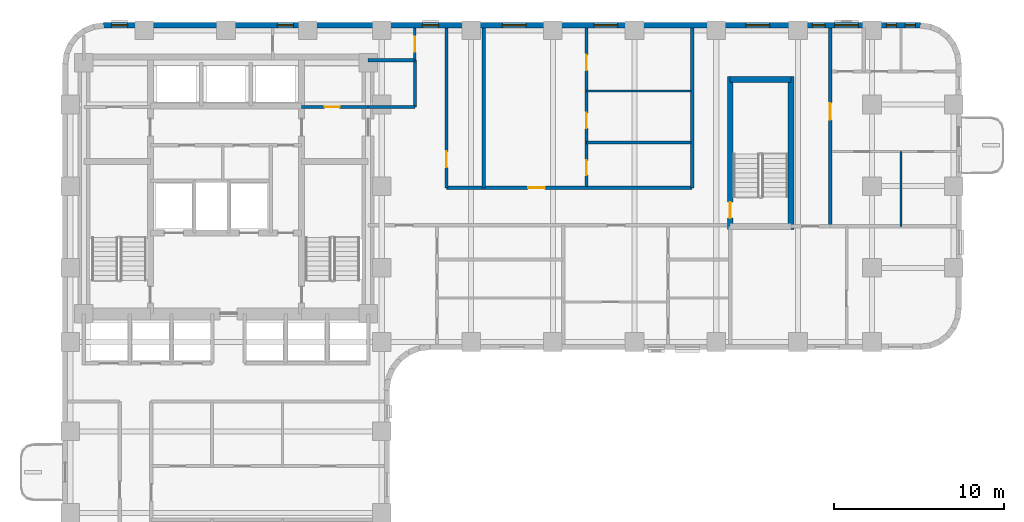
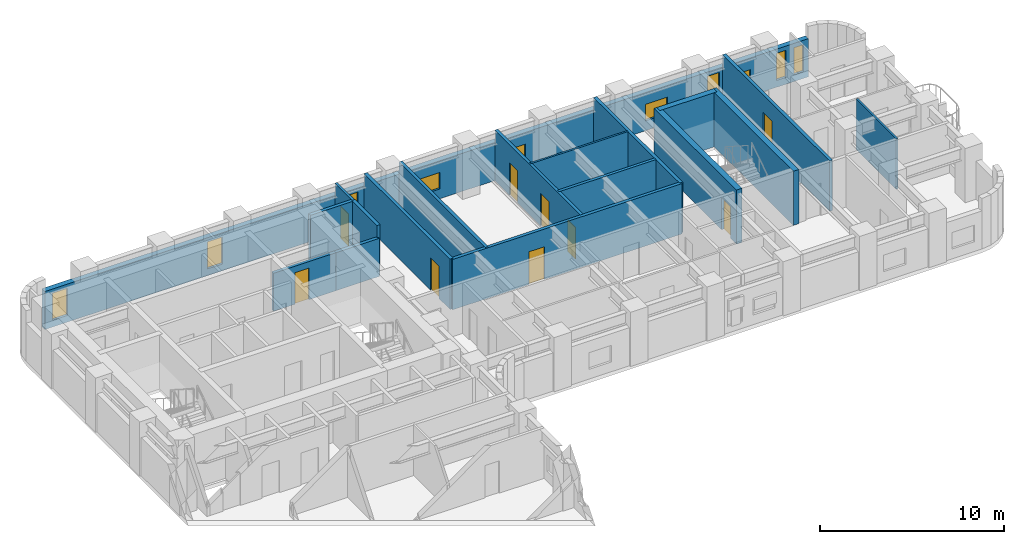
# One storey, part 6 of 10: 18 walls, 10 windows, 9 doors, 19 openings.
"""IFC4 building model written with IfcOpenShell, lengths in metres."""

from ifc_helpers import new_model, si_unit, direction, frame, frame_2d, origin, place, context, subcontext, project, spatial, rectangle, extrude, material, layer, layer_set, type_object, element, fill, save


model = new_model("IFC4")

# Units and contexts
model_context = context("Model", 3, precision=1e-05, world=origin(), true_north=direction((0.0, 1.0)))
body_context = subcontext(model_context, "Body", "Model", "MODEL_VIEW")
ifc_project = project(units=[si_unit("LENGTHUNIT", "METRE"), si_unit("AREAUNIT", "SQUARE_METRE"), si_unit("VOLUMEUNIT", "CUBIC_METRE"), si_unit("PLANEANGLEUNIT", "RADIAN"), si_unit("MASSUNIT", "GRAM", prefix="KILO")], contexts=[model_context])

# Site, building, storey
site_placement = place(None, origin())
site = spatial("IfcSite", under=ifc_project, at=site_placement, CompositionType="ELEMENT")
building_placement = place(site_placement, origin())
building = spatial("IfcBuilding", under=site, at=building_placement, Name="Orvandelia Arch Residences", CompositionType="ELEMENT")
storey_placement = place(building_placement, frame((0.0, 0.0, 68.199951171875)))
storey = spatial("IfcBuildingStorey", under=building, at=storey_placement, Name="L17", CompositionType="ELEMENT", Elevation=68.199951171875)

# Wall, opening, door
ifc_material_1 = material(Name="Concrete C50/60", Category="concrete")
ifc_layer_1 = layer(ifc_material_1, 0.35009765625, Name="Concrete C50/60", Category="concrete")
ifc_layer_set_1 = layer_set([ifc_layer_1], Name="Concrete C50/60")
wall_type_1 = type_object("IfcWallType", Name="WL-CORE-350", PredefinedType="SHEAR", material=ifc_layer_set_1)
wall_1_placement = place(storey_placement, frame((44.02001953125, 35.864990234375, 0.0), z_axis=(0.0, 0.0, 1.0), x_axis=(0.0, 1.0, 0.0)))
wall_1 = element("IfcWall", 1, at=wall_1_placement, inside=storey, type_object=wall_type_1, Name="East Stair Core Shear Wall L17-W", PredefinedType="SHEAR", context=body_context, shape_type="SweptSolid", body=[
    extrude(rectangle(XDim=8.969970703125, YDim=0.35009765625, at=frame_2d((4.48486328125, 0.0))), origin(), (0.0, 0.0, 1.0), 3.60009765625),
])
opening_1_placement = place(wall_1_placement, frame((0.64990234375, 0.0, 0.0)))
opening_1 = element("IfcOpeningElement", 2, at=opening_1_placement, cuts=wall_1, Name="Opening D7", PredefinedType="OPENING", context=body_context, shape_type="SweptSolid", body=[
    extrude(rectangle(XDim=0.949951171875, YDim=2.10009765625, at=frame_2d((0.47509765625, 1.050048828125))), frame((0.0, 0.18505859375, 0.0), z_axis=(0.0, -1.0, 0.0), x_axis=(1.0, 0.0, 0.0)), (0.0, 0.0, 1.0), 0.3701171875),
])
ifc_material_2 = material(Name="Pressurised Stairwell Fire Door")
door_type_1 = type_object("IfcDoorType", Name="DR-STAIR-950", OperationType="NOTDEFINED", PredefinedType="DOOR", material=ifc_material_2)
door_1_placement = place(opening_1_placement, origin())
door_1 = element("IfcDoor", 3, at=door_1_placement, inside=storey, type_object=door_type_1, Name="East Stairwell ST-3 Fire Door L17", OperationType="SINGLE_SWING_LEFT", OverallHeight=2.10009765625, OverallWidth=0.949951171875, PredefinedType="DOOR", context=body_context, shape_type="SweptSolid", body=[
    extrude(rectangle(XDim=0.949951171875, YDim=2.10009765625, at=frame_2d((0.47509765625, 1.050048828125))), frame((0.0, 0.02490234375, 0.0), z_axis=(0.0, -1.0, 0.0), x_axis=(1.0, 0.0, 0.0)), (0.0, 0.0, 1.0), 0.050048828125),
])
fill(opening_1, door_1)

# Walls
wall_2_placement = place(storey_placement, frame((47.60009765625, 35.864990234375, 0.0), z_axis=(0.0, 0.0, 1.0), x_axis=(0.0, 1.0, 0.0)))
element("IfcWall", 4, at=wall_2_placement, inside=storey, type_object=wall_type_1, Name="East Stair Core Shear Wall L17-E", PredefinedType="SHEAR", context=body_context, shape_type="SweptSolid", body=[
    extrude(rectangle(XDim=8.969970703125, YDim=0.35009765625, at=frame_2d((4.48486328125, 0.0))), origin(), (0.0, 0.0, 1.0), 3.60009765625),
])
wall_3_placement = place(storey_placement, frame((44.02001953125, 44.659912109375, 0.0), z_axis=(0.0, 0.0, 1.0), x_axis=(1.0, 0.0, 0.0)))
element("IfcWall", 5, at=wall_3_placement, inside=storey, type_object=wall_type_1, Name="East Stair Core Shear Wall L17-N", PredefinedType="SHEAR", context=body_context, shape_type="SweptSolid", body=[
    extrude(rectangle(XDim=3.580078125, YDim=0.35009765625, at=frame_2d((1.7900390625, 0.0))), origin(), (0.0, 0.0, 1.0), 3.60009765625),
])
ifc_material_3 = material(Name="Fire-Rated Corridor Partition")
ifc_layer_2 = layer(ifc_material_3, 0.199951171875, Name="Fire-Rated Corridor Partition")
ifc_layer_set_2 = layer_set([ifc_layer_2], Name="Fire-Rated Corridor Partition")
wall_type_2 = type_object("IfcWallType", Name="WL-CORR-200", PredefinedType="PARTITIONING", material=ifc_layer_set_2)
wall_4_placement = place(storey_placement, frame((22.75, 45.800048828125, 0.0), z_axis=(0.0, 0.0, 1.0), x_axis=(1.0, 0.0, 0.0)))
element("IfcWall", 6, at=wall_4_placement, inside=storey, type_object=wall_type_2, Name="Interior Partition Wall WL-L17-NCE-S", PredefinedType="PARTITIONING", context=body_context, shape_type="SweptSolid", body=[
    extrude(rectangle(XDim=2.75, YDim=0.199951171875, at=frame_2d((1.375, 0.0))), origin(), (0.0, 0.0, 1.0), 3.35009765625),
])

# Wall, opening, door
wall_5_placement = place(storey_placement, frame((27.35009765625, 38.300048828125, 0.0), z_axis=(0.0, 0.0, 1.0), x_axis=(1.0, 0.0, 0.0)))
wall_5 = element("IfcWall", 7, at=wall_5_placement, inside=storey, type_object=wall_type_2, Name="Interior Partition Wall WL-L17-EM-N", PredefinedType="PARTITIONING", context=body_context, shape_type="SweptSolid", body=[
    extrude(rectangle(XDim=14.429931640625, YDim=0.199951171875, at=frame_2d((7.21484375, 0.0))), origin(), (0.0, 0.0, 1.0), 3.35009765625),
])
opening_2_placement = place(wall_5_placement, frame((4.803466796875, 0.0, 0.0)))
opening_2 = element("IfcOpeningElement", 8, at=opening_2_placement, cuts=wall_5, Name="Opening D1", PredefinedType="OPENING", context=body_context, shape_type="SweptSolid", body=[
    extrude(rectangle(XDim=0.97998046875, YDim=2.179931640625, at=frame_2d((0.489990234375, 1.08984375))), frame((0.0, 0.10986328125, 0.0), z_axis=(0.0, -1.0, 0.0), x_axis=(1.0, 0.0, 0.0)), (0.0, 0.0, 1.0), 0.219970703125),
])
ifc_material_4 = material(Name="Solid-Core Timber Acoustic Fire Door", Category="wood")
door_type_2 = type_object("IfcDoorType", Name="DR-ENT-980", OperationType="NOTDEFINED", PredefinedType="DOOR", material=ifc_material_4)
door_2_placement = place(opening_2_placement, origin())
door_2 = element("IfcDoor", 9, at=door_2_placement, inside=storey, type_object=door_type_2, Name="Unit L17-06 Entrance Door", OperationType="SINGLE_SWING_RIGHT", OverallHeight=2.179931640625, OverallWidth=0.97998046875, PredefinedType="DOOR", context=body_context, shape_type="SweptSolid", body=[
    extrude(rectangle(XDim=0.97998046875, YDim=2.179931640625, at=frame_2d((0.489990234375, 1.08984375))), frame((0.0, 0.02490234375, 0.0), z_axis=(0.0, -1.0, 0.0), x_axis=(1.0, 0.0, 0.0)), (0.0, 0.0, 1.0), 0.050048828125),
])
fill(opening_2, door_2)

wall_6_placement = place(storey_placement, frame((27.35009765625, 38.300048828125, 0.0), z_axis=(0.0, 0.0, 1.0), x_axis=(0.0, 1.0, 0.0)))
wall_6 = element("IfcWall", 10, at=wall_6_placement, inside=storey, type_object=wall_type_2, Name="Interior Partition Wall WL-L17-EM-NCE", PredefinedType="PARTITIONING", context=body_context, shape_type="SweptSolid", body=[
    extrude(rectangle(XDim=9.3798828125, YDim=0.199951171875, at=frame_2d((4.68994140625, 0.0))), origin(), (0.0, 0.0, 1.0), 3.35009765625),
])
opening_3_placement = place(wall_6_placement, frame((1.199951171875, 0.0, 0.0)))
opening_3 = element("IfcOpeningElement", 11, at=opening_3_placement, cuts=wall_6, Name="Opening D2", PredefinedType="OPENING", context=body_context, shape_type="SweptSolid", body=[
    extrude(rectangle(XDim=0.949951171875, YDim=2.14990234375, at=frame_2d((0.47509765625, 1.074951171875))), frame((0.0, 0.10986328125, 0.0), z_axis=(0.0, -1.0, 0.0), x_axis=(1.0, 0.0, 0.0)), (0.0, 0.0, 1.0), 0.219970703125),
])
ifc_material_5 = material(Name="Solid-Core Timber Interior Fire Door", Category="wood")
door_type_3 = type_object("IfcDoorType", Name="DR-APT-950", OperationType="NOTDEFINED", PredefinedType="DOOR", material=ifc_material_5)
door_3_placement = place(opening_3_placement, origin())
door_3 = element("IfcDoor", 12, at=door_3_placement, inside=storey, type_object=door_type_3, Name="DR-L17-LDY", OperationType="SINGLE_SWING_RIGHT", OverallHeight=2.14990234375, OverallWidth=0.949951171875, PredefinedType="DOOR", context=body_context, shape_type="SweptSolid", body=[
    extrude(rectangle(XDim=0.949951171875, YDim=2.14990234375, at=frame_2d((0.47509765625, 1.074951171875))), frame((0.0, 0.02490234375, 0.0), z_axis=(0.0, -1.0, 0.0), x_axis=(1.0, 0.0, 0.0)), (0.0, 0.0, 1.0), 0.050048828125),
])
fill(opening_3, door_3)

# Walls
wall_7_placement = place(storey_placement, frame((22.75, 43.050048828125, 0.0), z_axis=(0.0, 0.0, 1.0), x_axis=(1.0, 0.0, 0.0)))
element("IfcWall", 13, at=wall_7_placement, inside=storey, type_object=wall_type_2, Name="Interior Partition Wall WL-L17-EM-LS", PredefinedType="PARTITIONING", context=body_context, shape_type="SweptSolid", body=[
    extrude(rectangle(XDim=2.75, YDim=0.199951171875, at=frame_2d((1.375, 0.0))), origin(), (0.0, 0.0, 1.0), 2.530029296875),
])
wall_8_placement = place(storey_placement, frame((25.5, 43.050048828125, 0.0), z_axis=(0.0, 0.0, 1.0), x_axis=(0.0, 1.0, 0.0)))
element("IfcWall", 14, at=wall_8_placement, inside=storey, type_object=wall_type_2, Name="Interior Partition Wall WL-L17-EM-LW2", PredefinedType="PARTITIONING", context=body_context, shape_type="SweptSolid", body=[
    extrude(rectangle(XDim=2.75, YDim=0.199951171875, at=frame_2d((1.375, 0.0))), origin(), (0.0, 0.0, 1.0), 3.35009765625),
])
wall_9_placement = place(storey_placement, frame((41.780029296875, 38.300048828125, 0.0), z_axis=(0.0, 0.0, 1.0), x_axis=(0.0, 1.0, 0.0)))
element("IfcWall", 15, at=wall_9_placement, inside=storey, type_object=wall_type_2, Name="Interior Partition Wall WL-L17-ETV-W", PredefinedType="PARTITIONING", context=body_context, shape_type="SweptSolid", body=[
    extrude(rectangle(XDim=9.3798828125, YDim=0.199951171875, at=frame_2d((4.68994140625, 0.0))), origin(), (0.0, 0.0, 1.0), 3.35009765625),
])

# Wall, opening, door
wall_10_placement = place(storey_placement, frame((49.89990234375, 36.0400390625, 0.0), z_axis=(0.0, 0.0, 1.0), x_axis=(0.0, 1.0, 0.0)))
wall_10 = element("IfcWall", 16, at=wall_10_placement, inside=storey, type_object=wall_type_2, Name="Interior Partition Wall WL-L17-ETE-E", PredefinedType="PARTITIONING", context=body_context, shape_type="SweptSolid", body=[
    extrude(rectangle(XDim=11.639892578125, YDim=0.199951171875, at=frame_2d((5.81982421875, 0.0))), origin(), (0.0, 0.0, 1.0), 3.35009765625),
])
opening_4_placement = place(wall_10_placement, frame((6.25146484375, 0.0, 0.0)))
opening_4 = element("IfcOpeningElement", 17, at=opening_4_placement, cuts=wall_10, Name="Opening D1", PredefinedType="OPENING", context=body_context, shape_type="SweptSolid", body=[
    extrude(rectangle(XDim=0.97998046875, YDim=2.179931640625, at=frame_2d((0.489990234375, 1.08984375))), frame((0.0, 0.10986328125, 0.0), z_axis=(0.0, -1.0, 0.0), x_axis=(1.0, 0.0, 0.0)), (0.0, 0.0, 1.0), 0.219970703125),
])
door_4_placement = place(opening_4_placement, origin())
door_4 = element("IfcDoor", 18, at=door_4_placement, inside=storey, type_object=door_type_2, Name="Unit L17-07 Entrance Door", OperationType="SINGLE_SWING_LEFT", OverallHeight=2.179931640625, OverallWidth=0.97998046875, PredefinedType="DOOR", context=body_context, shape_type="SweptSolid", body=[
    extrude(rectangle(XDim=0.97998046875, YDim=2.179931640625, at=frame_2d((0.489990234375, 1.08984375))), frame((0.0, 0.02490234375, 0.0), z_axis=(0.0, -1.0, 0.0), x_axis=(1.0, 0.0, 0.0)), (0.0, 0.0, 1.0), 0.050048828125),
])
fill(opening_4, door_4)

# Wall
ifc_material_6 = material(Name="Concrete C40/50", Category="concrete")
ifc_layer_3 = layer(ifc_material_6, 0.199951171875, Name="Concrete C40/50", Category="concrete")
ifc_layer_set_3 = layer_set([ifc_layer_3], Name="Concrete C40/50")
wall_type_3 = type_object("IfcWallType", Name="WL-DEM-200", PredefinedType="SOLIDWALL", material=ifc_layer_set_3)
wall_11_placement = place(storey_placement, frame((29.550048828125, 38.300048828125, 0.0), z_axis=(0.0, 0.0, 1.0), x_axis=(0.0, 1.0, 0.0)))
element("IfcWall", 19, at=wall_11_placement, inside=storey, type_object=wall_type_3, Name="Interior Partition Wall WL-L17-EM-LDE", PredefinedType="SOLIDWALL", context=body_context, shape_type="SweptSolid", body=[
    extrude(rectangle(XDim=9.3798828125, YDim=0.199951171875, at=frame_2d((4.68994140625, 0.0))), origin(), (0.0, 0.0, 1.0), 3.35009765625),
])

# Wall, openings, windows
ifc_material_7 = material(Name="Precast concrete C40/50", Category="concrete")
ifc_layer_4 = layer(ifc_material_7, 0.320068359375, Name="Precast concrete C40/50", Category="concrete")
ifc_layer_set_4 = layer_set([ifc_layer_4], Name="Precast concrete C40/50")
wall_type_4 = type_object("IfcWallType", Name="WL-EXT-STONE-320", PredefinedType="STANDARD", material=ifc_layer_set_4)
wall_12_placement = place(storey_placement, frame((7.199951171875, 47.840087890625, 0.0), z_axis=(0.0, 0.0, 1.0), x_axis=(1.0, 0.0, 0.0)))
wall_12 = element("IfcWall", 20, at=wall_12_placement, inside=storey, type_object=wall_type_4, Name="Coral-Limestone Precast Facade Wall L17-007", PredefinedType="STANDARD", context=body_context, shape_type="SweptSolid", body=[
    extrude(rectangle(XDim=48.0, YDim=0.320068359375, at=frame_2d((24.0, 0.0))), origin(), (0.0, 0.0, 1.0), 2.530029296875),
])
opening_5_placement = place(wall_12_placement, frame((28.803466796875, 0.0, 0.64990234375)))
opening_5 = element("IfcOpeningElement", 21, at=opening_5_placement, cuts=wall_12, Name="Opening W10", PredefinedType="OPENING", context=body_context, shape_type="SweptSolid", body=[
    extrude(rectangle(XDim=1.39990234375, YDim=1.10009765625, at=frame_2d((0.699951171875, 0.550048828125))), frame((0.0, 0.169921875, 0.0), z_axis=(0.0, -1.0, 0.0), x_axis=(1.0, 0.0, 0.0)), (0.0, 0.0, 1.0), 0.340087890625),
])
opening_6_placement = place(wall_12_placement, frame((47.093994140625, 0.0, 0.449951171875)))
opening_6 = element("IfcOpeningElement", 22, at=opening_6_placement, cuts=wall_12, Name="Opening W12", PredefinedType="OPENING", context=body_context, shape_type="SweptSolid", body=[
    extrude(rectangle(XDim=0.60009765625, YDim=1.800048828125, at=frame_2d((0.300048828125, 0.89990234375))), frame((0.0, 0.169921875, 0.0), z_axis=(0.0, -1.0, 0.0), x_axis=(1.0, 0.0, 0.0)), (0.0, 0.0, 1.0), 0.340087890625),
])
opening_7_placement = place(wall_12_placement, frame((18.739990234375, 0.0, 0.449951171875)))
opening_7 = element("IfcOpeningElement", 23, at=opening_7_placement, cuts=wall_12, Name="Opening W4", PredefinedType="OPENING", context=body_context, shape_type="SweptSolid", body=[
    extrude(rectangle(XDim=0.949951171875, YDim=1.800048828125, at=frame_2d((0.47509765625, 0.89990234375))), frame((0.0, 0.169921875, 0.0), z_axis=(0.0, -1.0, 0.0), x_axis=(1.0, 0.0, 0.0)), (0.0, 0.0, 1.0), 0.340087890625),
])
opening_8_placement = place(wall_12_placement, frame((41.64990234375, 0.0, 0.449951171875)))
opening_8 = element("IfcOpeningElement", 24, at=opening_8_placement, cuts=wall_12, Name="Opening W11", PredefinedType="OPENING", context=body_context, shape_type="SweptSolid", body=[
    extrude(rectangle(XDim=0.75, YDim=1.800048828125, at=frame_2d((0.375, 0.89990234375))), frame((0.0, 0.169921875, 0.0), z_axis=(0.0, -1.0, 0.0), x_axis=(1.0, 0.0, 0.0)), (0.0, 0.0, 1.0), 0.340087890625),
])
opening_9_placement = place(wall_12_placement, frame((37.736083984375, 0.0, 0.64990234375)))
opening_9 = element("IfcOpeningElement", 25, at=opening_9_placement, cuts=wall_12, Name="Opening W10", PredefinedType="OPENING", context=body_context, shape_type="SweptSolid", body=[
    extrude(rectangle(XDim=1.39990234375, YDim=1.10009765625, at=frame_2d((0.699951171875, 0.550048828125))), frame((0.0, 0.169921875, 0.0), z_axis=(0.0, -1.0, 0.0), x_axis=(1.0, 0.0, 0.0)), (0.0, 0.0, 1.0), 0.340087890625),
])
opening_10_placement = place(wall_12_placement, frame((0.469970703125, 0.0, 0.449951171875)))
opening_10 = element("IfcOpeningElement", 26, at=opening_10_placement, cuts=wall_12, Name="Opening W4", PredefinedType="OPENING", context=body_context, shape_type="SweptSolid", body=[
    extrude(rectangle(XDim=0.949951171875, YDim=1.800048828125, at=frame_2d((0.47509765625, 0.89990234375))), frame((0.0, 0.169921875, 0.0), z_axis=(0.0, -1.0, 0.0), x_axis=(1.0, 0.0, 0.0)), (0.0, 0.0, 1.0), 0.340087890625),
])
opening_11_placement = place(wall_12_placement, frame((10.215087890625, 0.0, 0.449951171875)))
opening_11 = element("IfcOpeningElement", 27, at=opening_11_placement, cuts=wall_12, Name="Opening W4", PredefinedType="OPENING", context=body_context, shape_type="SweptSolid", body=[
    extrude(rectangle(XDim=0.949951171875, YDim=1.800048828125, at=frame_2d((0.47509765625, 0.89990234375))), frame((0.0, 0.169921875, 0.0), z_axis=(0.0, -1.0, 0.0), x_axis=(1.0, 0.0, 0.0)), (0.0, 0.0, 1.0), 0.340087890625),
])
opening_12_placement = place(wall_12_placement, frame((23.429931640625, 0.0, 0.64990234375)))
opening_12 = element("IfcOpeningElement", 28, at=opening_12_placement, cuts=wall_12, Name="Opening W10", PredefinedType="OPENING", context=body_context, shape_type="SweptSolid", body=[
    extrude(rectangle(XDim=1.39990234375, YDim=1.10009765625, at=frame_2d((0.699951171875, 0.550048828125))), frame((0.0, 0.169921875, 0.0), z_axis=(0.0, -1.0, 0.0), x_axis=(1.0, 0.0, 0.0)), (0.0, 0.0, 1.0), 0.340087890625),
])
opening_13_placement = place(wall_12_placement, frame((42.949951171875, 0.0, 0.64990234375)))
opening_13 = element("IfcOpeningElement", 29, at=opening_13_placement, cuts=wall_12, Name="Opening W10", PredefinedType="OPENING", context=body_context, shape_type="SweptSolid", body=[
    extrude(rectangle(XDim=1.39990234375, YDim=1.10009765625, at=frame_2d((0.699951171875, 0.550048828125))), frame((0.0, 0.169921875, 0.0), z_axis=(0.0, -1.0, 0.0), x_axis=(1.0, 0.0, 0.0)), (0.0, 0.0, 1.0), 0.340087890625),
])
opening_14_placement = place(wall_12_placement, frame((45.98388671875, 0.0, 0.449951171875)))
opening_14 = element("IfcOpeningElement", 30, at=opening_14_placement, cuts=wall_12, Name="Opening W12", PredefinedType="OPENING", context=body_context, shape_type="SweptSolid", body=[
    extrude(rectangle(XDim=0.60009765625, YDim=1.800048828125, at=frame_2d((0.300048828125, 0.89990234375))), frame((0.0, 0.169921875, 0.0), z_axis=(0.0, -1.0, 0.0), x_axis=(1.0, 0.0, 0.0)), (0.0, 0.0, 1.0), 0.340087890625),
])
ifc_material_8 = material(Name="Tempered Low-E Insulated Glazing", Category="glass")
window_type_1 = type_object("IfcWindowType", Name="WIN-BED-0750x1800", PartitioningType="SINGLE_PANEL", PredefinedType="WINDOW", material=ifc_material_8)
window_1_placement = place(opening_8_placement, origin())
window_1 = element("IfcWindow", 31, at=window_1_placement, inside=storey, type_object=window_type_1, Name="Recessed Punched Window L17-004", OverallHeight=1.800048828125, OverallWidth=0.75, PartitioningType="SINGLE_PANEL", PredefinedType="WINDOW", context=body_context, shape_type="SweptSolid", body=[
    extrude(rectangle(XDim=0.75, YDim=1.800048828125, at=frame_2d((0.375, 0.89990234375))), frame((0.0, 0.030029296875, 0.0), z_axis=(0.0, -1.0, 0.0), x_axis=(1.0, 0.0, 0.0)), (0.0, 0.0, 1.0), 0.06005859375),
])
fill(opening_8, window_1)
window_type_2 = type_object("IfcWindowType", Name="WIN-CLR-1400x1100", PartitioningType="SINGLE_PANEL", PredefinedType="WINDOW", material=ifc_material_8)
window_2_placement = place(opening_5_placement, origin())
window_2 = element("IfcWindow", 32, at=window_2_placement, inside=storey, type_object=window_type_2, Name="Recessed Punched Window L17-001", OverallHeight=1.10009765625, OverallWidth=1.39990234375, PartitioningType="SINGLE_PANEL", PredefinedType="WINDOW", context=body_context, shape_type="SweptSolid", body=[
    extrude(rectangle(XDim=1.39990234375, YDim=1.10009765625, at=frame_2d((0.699951171875, 0.550048828125))), frame((0.0, 0.030029296875, 0.0), z_axis=(0.0, -1.0, 0.0), x_axis=(1.0, 0.0, 0.0)), (0.0, 0.0, 1.0), 0.06005859375),
])
fill(opening_5, window_2)
window_3_placement = place(opening_9_placement, origin())
window_3 = element("IfcWindow", 33, at=window_3_placement, inside=storey, type_object=window_type_2, Name="Recessed Punched Window L17-005", OverallHeight=1.10009765625, OverallWidth=1.39990234375, PartitioningType="SINGLE_PANEL", PredefinedType="WINDOW", context=body_context, shape_type="SweptSolid", body=[
    extrude(rectangle(XDim=1.39990234375, YDim=1.10009765625, at=frame_2d((0.699951171875, 0.550048828125))), frame((0.0, 0.030029296875, 0.0), z_axis=(0.0, -1.0, 0.0), x_axis=(1.0, 0.0, 0.0)), (0.0, 0.0, 1.0), 0.06005859375),
])
fill(opening_9, window_3)
window_4_placement = place(opening_12_placement, origin())
window_4 = element("IfcWindow", 34, at=window_4_placement, inside=storey, type_object=window_type_2, Name="Recessed Punched Window L17-008", OverallHeight=1.10009765625, OverallWidth=1.39990234375, PartitioningType="SINGLE_PANEL", PredefinedType="WINDOW", context=body_context, shape_type="SweptSolid", body=[
    extrude(rectangle(XDim=1.39990234375, YDim=1.10009765625, at=frame_2d((0.699951171875, 0.550048828125))), frame((0.0, 0.030029296875, 0.0), z_axis=(0.0, -1.0, 0.0), x_axis=(1.0, 0.0, 0.0)), (0.0, 0.0, 1.0), 0.06005859375),
])
fill(opening_12, window_4)
window_5_placement = place(opening_13_placement, origin())
window_5 = element("IfcWindow", 35, at=window_5_placement, inside=storey, type_object=window_type_2, Name="Recessed Punched Window L17-009", OverallHeight=1.10009765625, OverallWidth=1.39990234375, PartitioningType="SINGLE_PANEL", PredefinedType="WINDOW", context=body_context, shape_type="SweptSolid", body=[
    extrude(rectangle(XDim=1.39990234375, YDim=1.10009765625, at=frame_2d((0.699951171875, 0.550048828125))), frame((0.0, 0.030029296875, 0.0), z_axis=(0.0, -1.0, 0.0), x_axis=(1.0, 0.0, 0.0)), (0.0, 0.0, 1.0), 0.06005859375),
])
fill(opening_13, window_5)
window_type_3 = type_object("IfcWindowType", Name="WIN-LAN-0600x1800", PartitioningType="SINGLE_PANEL", PredefinedType="WINDOW", material=ifc_material_8)
window_6_placement = place(opening_6_placement, origin())
window_6 = element("IfcWindow", 36, at=window_6_placement, inside=storey, type_object=window_type_3, Name="Recessed Punched Window L17-002", OverallHeight=1.800048828125, OverallWidth=0.60009765625, PartitioningType="SINGLE_PANEL", PredefinedType="WINDOW", context=body_context, shape_type="SweptSolid", body=[
    extrude(rectangle(XDim=0.60009765625, YDim=1.800048828125, at=frame_2d((0.300048828125, 0.89990234375))), frame((0.0, 0.030029296875, 0.0), z_axis=(0.0, -1.0, 0.0), x_axis=(1.0, 0.0, 0.0)), (0.0, 0.0, 1.0), 0.06005859375),
])
fill(opening_6, window_6)
window_7_placement = place(opening_14_placement, origin())
window_7 = element("IfcWindow", 37, at=window_7_placement, inside=storey, type_object=window_type_3, Name="Recessed Punched Window L17-010", OverallHeight=1.800048828125, OverallWidth=0.60009765625, PartitioningType="SINGLE_PANEL", PredefinedType="WINDOW", context=body_context, shape_type="SweptSolid", body=[
    extrude(rectangle(XDim=0.60009765625, YDim=1.800048828125, at=frame_2d((0.300048828125, 0.89990234375))), frame((0.0, 0.030029296875, 0.0), z_axis=(0.0, -1.0, 0.0), x_axis=(1.0, 0.0, 0.0)), (0.0, 0.0, 1.0), 0.06005859375),
])
fill(opening_14, window_7)
window_type_4 = type_object("IfcWindowType", Name="WIN-RES-0950x1800", PartitioningType="SINGLE_PANEL", PredefinedType="WINDOW", material=ifc_material_8)
window_8_placement = place(opening_7_placement, origin())
window_8 = element("IfcWindow", 38, at=window_8_placement, inside=storey, type_object=window_type_4, Name="Recessed Punched Window L17-003", OverallHeight=1.800048828125, OverallWidth=0.949951171875, PartitioningType="SINGLE_PANEL", PredefinedType="WINDOW", context=body_context, shape_type="SweptSolid", body=[
    extrude(rectangle(XDim=0.949951171875, YDim=1.800048828125, at=frame_2d((0.47509765625, 0.89990234375))), frame((0.0, 0.030029296875, 0.0), z_axis=(0.0, -1.0, 0.0), x_axis=(1.0, 0.0, 0.0)), (0.0, 0.0, 1.0), 0.06005859375),
])
fill(opening_7, window_8)
window_9_placement = place(opening_10_placement, origin())
window_9 = element("IfcWindow", 39, at=window_9_placement, inside=storey, type_object=window_type_4, Name="Recessed Punched Window L17-006", OverallHeight=1.800048828125, OverallWidth=0.949951171875, PartitioningType="SINGLE_PANEL", PredefinedType="WINDOW", context=body_context, shape_type="SweptSolid", body=[
    extrude(rectangle(XDim=0.949951171875, YDim=1.800048828125, at=frame_2d((0.47509765625, 0.89990234375))), frame((0.0, 0.030029296875, 0.0), z_axis=(0.0, -1.0, 0.0), x_axis=(1.0, 0.0, 0.0)), (0.0, 0.0, 1.0), 0.06005859375),
])
fill(opening_10, window_9)
window_10_placement = place(opening_11_placement, origin())
window_10 = element("IfcWindow", 40, at=window_10_placement, inside=storey, type_object=window_type_4, Name="Recessed Punched Window L17-007", OverallHeight=1.800048828125, OverallWidth=0.949951171875, PartitioningType="SINGLE_PANEL", PredefinedType="WINDOW", context=body_context, shape_type="SweptSolid", body=[
    extrude(rectangle(XDim=0.949951171875, YDim=1.800048828125, at=frame_2d((0.47509765625, 0.89990234375))), frame((0.0, 0.030029296875, 0.0), z_axis=(0.0, -1.0, 0.0), x_axis=(1.0, 0.0, 0.0)), (0.0, 0.0, 1.0), 0.06005859375),
])
fill(opening_11, window_10)

# Walls
ifc_material_9 = material(Name="Lightweight Gypsum Stud Partition")
ifc_layer_5 = layer(ifc_material_9, 0.1201171875, Name="Lightweight Gypsum Stud Partition")
ifc_layer_set_5 = layer_set([ifc_layer_5], Name="Lightweight Gypsum Stud Partition")
wall_type_5 = type_object("IfcWallType", Name="WL-PART-120", PredefinedType="PARTITIONING", material=ifc_layer_set_5)
wall_13_placement = place(storey_placement, frame((35.576904296875, 43.99609375, 0.0), z_axis=(0.0, 0.0, 1.0), x_axis=(1.0, 0.0, 0.0)))
element("IfcWall", 41, at=wall_13_placement, inside=storey, type_object=wall_type_5, Name="Interior Partition Wall WL-L17-U06-H2", PredefinedType="PARTITIONING", context=body_context, shape_type="SweptSolid", body=[
    extrude(rectangle(XDim=6.123046875, YDim=0.1201171875, at=frame_2d((3.0615234375, 0.0))), origin(), (0.0, 0.0, 1.0), 3.35009765625),
])
wall_14_placement = place(storey_placement, frame((54.048095703125, 36.0400390625, 0.0), z_axis=(0.0, 0.0, 1.0), x_axis=(0.0, 1.0, 0.0)))
element("IfcWall", 42, at=wall_14_placement, inside=storey, type_object=wall_type_5, Name="Interior Partition Wall WL-L17-U07-VB", PredefinedType="PARTITIONING", context=body_context, shape_type="SweptSolid", body=[
    extrude(rectangle(XDim=4.384033203125, YDim=0.1201171875, at=frame_2d((2.19189453125, 0.0))), origin(), (0.0, 0.0, 1.0), 3.35009765625),
])

# Wall, opening, door
ifc_material_10 = material(Name="Acoustic Gypsum Stud Partition")
ifc_layer_6 = layer(ifc_material_10, 0.14990234375, Name="Acoustic Gypsum Stud Partition")
ifc_layer_set_6 = layer_set([ifc_layer_6], Name="Acoustic Gypsum Stud Partition")
wall_type_6 = type_object("IfcWallType", Name="WL-PART-150", PredefinedType="PARTITIONING", material=ifc_layer_set_6)
wall_15_placement = place(storey_placement, frame((25.5, 45.800048828125, 0.0), z_axis=(0.0, 0.0, 1.0), x_axis=(0.0, 1.0, 0.0)))
wall_15 = element("IfcWall", 43, at=wall_15_placement, inside=storey, type_object=wall_type_6, Name="Interior Partition Wall WL-L17-NCE-W", PredefinedType="PARTITIONING", context=body_context, shape_type="SweptSolid", body=[
    extrude(rectangle(XDim=1.8798828125, YDim=0.14990234375, at=frame_2d((0.93994140625, 0.0))), origin(), (0.0, 0.0, 1.0), 3.35009765625),
])
opening_15_placement = place(wall_15_placement, frame((0.5, 0.0, 0.0)))
opening_15 = element("IfcOpeningElement", 44, at=opening_15_placement, cuts=wall_15, Name="Opening D5", PredefinedType="OPENING", context=body_context, shape_type="SweptSolid", body=[
    extrude(rectangle(XDim=0.8798828125, YDim=2.10009765625, at=frame_2d((0.43994140625, 1.050048828125))), frame((0.0, 0.0849609375, 0.0), z_axis=(0.0, -1.0, 0.0), x_axis=(1.0, 0.0, 0.0)), (0.0, 0.0, 1.0), 0.169921875),
])
ifc_material_11 = material(Name="Painted Galvanised Steel Service Door", Category="steel")
door_type_4 = type_object("IfcDoorType", Name="DR-SRV-880", OperationType="NOTDEFINED", PredefinedType="DOOR", material=ifc_material_11)
door_5_placement = place(opening_15_placement, origin())
door_5 = element("IfcDoor", 45, at=door_5_placement, inside=storey, type_object=door_type_4, Name="DR-L17-NCS2", OperationType="SINGLE_SWING_LEFT", OverallHeight=2.10009765625, OverallWidth=0.8798828125, PredefinedType="DOOR", context=body_context, shape_type="SweptSolid", body=[
    extrude(rectangle(XDim=0.8798828125, YDim=2.10009765625, at=frame_2d((0.43994140625, 1.050048828125))), frame((0.0, 0.02490234375, 0.0), z_axis=(0.0, -1.0, 0.0), x_axis=(1.0, 0.0, 0.0)), (0.0, 0.0, 1.0), 0.050048828125),
])
fill(opening_15, door_5)

ifc_material_12 = material(Name="Fire-Rated Shaft Enclosure Wall")
ifc_layer_7 = layer(ifc_material_12, 0.199951171875, Name="Fire-Rated Shaft Enclosure Wall")
ifc_layer_set_7 = layer_set([ifc_layer_7], Name="Fire-Rated Shaft Enclosure Wall")
wall_type_7 = type_object("IfcWallType", Name="WL-SHAFT-200", PredefinedType="POLYGONAL", material=ifc_layer_set_7)
wall_16_placement = place(storey_placement, frame((18.840087890625, 43.050048828125, 0.0), z_axis=(0.0, 0.0, 1.0), x_axis=(1.0, 0.0, 0.0)))
wall_16 = element("IfcWall", 46, at=wall_16_placement, inside=storey, type_object=wall_type_7, Name="Interior Partition Wall WL-L17-HLE-N", PredefinedType="POLYGONAL", context=body_context, shape_type="SweptSolid", body=[
    extrude(rectangle(XDim=3.909912109375, YDim=0.199951171875, at=frame_2d((1.955078125, 0.0))), origin(), (0.0, 0.0, 1.0), 2.530029296875),
])
opening_16_placement = place(wall_16_placement, frame((1.35009765625, 0.0, 0.0)))
opening_16 = element("IfcOpeningElement", 47, at=opening_16_placement, cuts=wall_16, Name="Opening D5", PredefinedType="OPENING", context=body_context, shape_type="SweptSolid", body=[
    extrude(rectangle(XDim=0.8798828125, YDim=2.10009765625, at=frame_2d((0.43994140625, 1.050048828125))), frame((0.0, 0.10986328125, 0.0), z_axis=(0.0, -1.0, 0.0), x_axis=(1.0, 0.0, 0.0)), (0.0, 0.0, 1.0), 0.219970703125),
])
door_6_placement = place(opening_16_placement, origin())
door_6 = element("IfcDoor", 48, at=door_6_placement, inside=storey, type_object=door_type_4, Name="DR-L17-CSB1", OperationType="SINGLE_SWING_LEFT", OverallHeight=2.10009765625, OverallWidth=0.8798828125, PredefinedType="DOOR", context=body_context, shape_type="SweptSolid", body=[
    extrude(rectangle(XDim=0.8798828125, YDim=2.10009765625, at=frame_2d((0.43994140625, 1.050048828125))), frame((0.0, 0.02490234375, 0.0), z_axis=(0.0, -1.0, 0.0), x_axis=(1.0, 0.0, 0.0)), (0.0, 0.0, 1.0), 0.050048828125),
])
fill(opening_16, door_6)

# Wall, openings, doors
ifc_material_13 = material(Name="Moisture-Resistant Plumbing Wall")
ifc_layer_8 = layer(ifc_material_13, 0.179931640625, Name="Moisture-Resistant Plumbing Wall")
ifc_layer_set_8 = layer_set([ifc_layer_8], Name="Moisture-Resistant Plumbing Wall")
wall_type_8 = type_object("IfcWallType", Name="WL-WET-180", PredefinedType="PLUMBINGWALL", material=ifc_layer_set_8)
wall_17_placement = place(storey_placement, frame((35.576904296875, 38.3798828125, 0.0), z_axis=(0.0, 0.0, 1.0), x_axis=(0.0, 1.0, 0.0)))
wall_17 = element("IfcWall", 49, at=wall_17_placement, inside=storey, type_object=wall_type_8, Name="Interior Partition Wall WL-L17-U06-VT", PredefinedType="PLUMBINGWALL", context=body_context, shape_type="SweptSolid", body=[
    extrude(rectangle(XDim=9.300048828125, YDim=0.179931640625, at=frame_2d((4.64990234375, 0.0))), origin(), (0.0, 0.0, 1.0), 3.35009765625),
])
opening_17_placement = place(wall_17_placement, frame((0.66748046875, 0.0, 0.0)))
opening_17 = element("IfcOpeningElement", 50, at=opening_17_placement, cuts=wall_17, Name="Opening D4", PredefinedType="OPENING", context=body_context, shape_type="SweptSolid", body=[
    extrude(rectangle(XDim=0.860107421875, YDim=2.10009765625, at=frame_2d((0.43017578125, 1.050048828125))), frame((0.0, 0.10009765625, 0.0), z_axis=(0.0, -1.0, 0.0), x_axis=(1.0, 0.0, 0.0)), (0.0, 0.0, 1.0), 0.199951171875),
])
opening_18_placement = place(wall_17_placement, frame((3.430419921875, 0.0, 0.0)))
opening_18 = element("IfcOpeningElement", 51, at=opening_18_placement, cuts=wall_17, Name="Opening D3", PredefinedType="OPENING", context=body_context, shape_type="SweptSolid", body=[
    extrude(rectangle(XDim=0.89990234375, YDim=2.14990234375, at=frame_2d((0.449951171875, 1.074951171875))), frame((0.0, 0.10009765625, 0.0), z_axis=(0.0, -1.0, 0.0), x_axis=(1.0, 0.0, 0.0)), (0.0, 0.0, 1.0), 0.199951171875),
])
opening_19_placement = place(wall_17_placement, frame((6.828369140625, 0.0, 0.0)))
opening_19 = element("IfcOpeningElement", 52, at=opening_19_placement, cuts=wall_17, Name="Opening D3", PredefinedType="OPENING", context=body_context, shape_type="SweptSolid", body=[
    extrude(rectangle(XDim=0.89990234375, YDim=2.14990234375, at=frame_2d((0.449951171875, 1.074951171875))), frame((0.0, 0.10009765625, 0.0), z_axis=(0.0, -1.0, 0.0), x_axis=(1.0, 0.0, 0.0)), (0.0, 0.0, 1.0), 0.199951171875),
])
ifc_material_14 = material(Name="Engineered Timber Flush Door", Category="wood")
door_type_5 = type_object("IfcDoorType", Name="DR-INT-900", OperationType="NOTDEFINED", PredefinedType="DOOR", material=ifc_material_14)
door_7_placement = place(opening_18_placement, origin())
door_7 = element("IfcDoor", 53, at=door_7_placement, inside=storey, type_object=door_type_5, Name="DR-L17-U06-KIT", OperationType="SINGLE_SWING_RIGHT", OverallHeight=2.14990234375, OverallWidth=0.89990234375, PredefinedType="DOOR", context=body_context, shape_type="SweptSolid", body=[
    extrude(rectangle(XDim=0.89990234375, YDim=2.14990234375, at=frame_2d((0.449951171875, 1.074951171875))), frame((0.0, 0.02490234375, 0.0), z_axis=(0.0, -1.0, 0.0), x_axis=(1.0, 0.0, 0.0)), (0.0, 0.0, 1.0), 0.050048828125),
])
fill(opening_18, door_7)
door_8_placement = place(opening_19_placement, origin())
door_8 = element("IfcDoor", 54, at=door_8_placement, inside=storey, type_object=door_type_5, Name="DR-L17-U06-BD1", OperationType="SINGLE_SWING_LEFT", OverallHeight=2.14990234375, OverallWidth=0.89990234375, PredefinedType="DOOR", context=body_context, shape_type="SweptSolid", body=[
    extrude(rectangle(XDim=0.89990234375, YDim=2.14990234375, at=frame_2d((0.449951171875, 1.074951171875))), frame((0.0, 0.02490234375, 0.0), z_axis=(0.0, -1.0, 0.0), x_axis=(1.0, 0.0, 0.0)), (0.0, 0.0, 1.0), 0.050048828125),
])
fill(opening_19, door_8)
ifc_material_15 = material(Name="Moisture-Sealed Timber Bathroom Door", Category="wood")
door_type_6 = type_object("IfcDoorType", Name="DR-WET-900", OperationType="NOTDEFINED", PredefinedType="DOOR", material=ifc_material_15)
door_9_placement = place(opening_17_placement, origin())
door_9 = element("IfcDoor", 55, at=door_9_placement, inside=storey, type_object=door_type_6, Name="DR-L17-U06-BTH", OperationType="SINGLE_SWING_LEFT", OverallHeight=2.10009765625, OverallWidth=0.860107421875, PredefinedType="DOOR", context=body_context, shape_type="SweptSolid", body=[
    extrude(rectangle(XDim=0.860107421875, YDim=2.10009765625, at=frame_2d((0.43017578125, 1.050048828125))), frame((0.0, 0.02490234375, 0.0), z_axis=(0.0, -1.0, 0.0), x_axis=(1.0, 0.0, 0.0)), (0.0, 0.0, 1.0), 0.050048828125),
])
fill(opening_17, door_9)

# Wall
wall_18_placement = place(storey_placement, frame((35.576904296875, 40.962890625, 0.0), z_axis=(0.0, 0.0, 1.0), x_axis=(1.0, 0.0, 0.0)))
element("IfcWall", 56, at=wall_18_placement, inside=storey, type_object=wall_type_8, Name="Interior Partition Wall WL-L17-U06-H1", PredefinedType="PLUMBINGWALL", context=body_context, shape_type="SweptSolid", body=[
    extrude(rectangle(XDim=6.123046875, YDim=0.179931640625, at=frame_2d((3.0615234375, 0.0))), origin(), (0.0, 0.0, 1.0), 3.35009765625),
])

save(model, "model.ifc")
